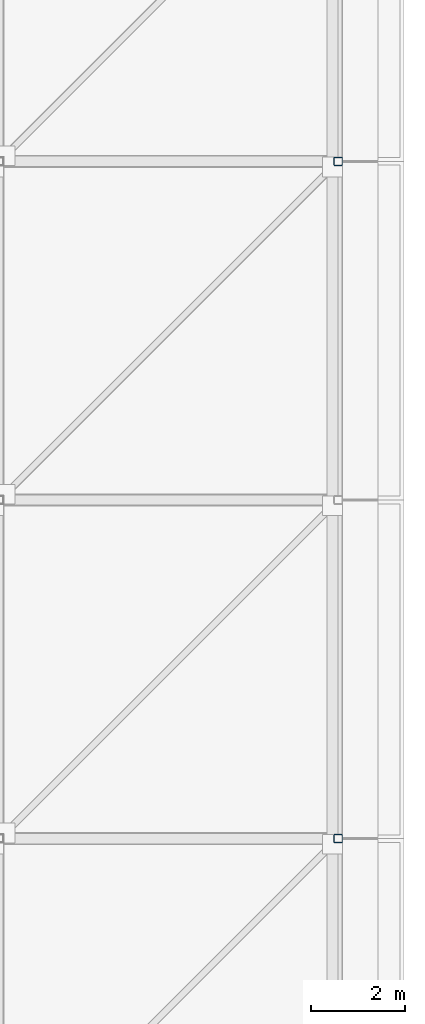
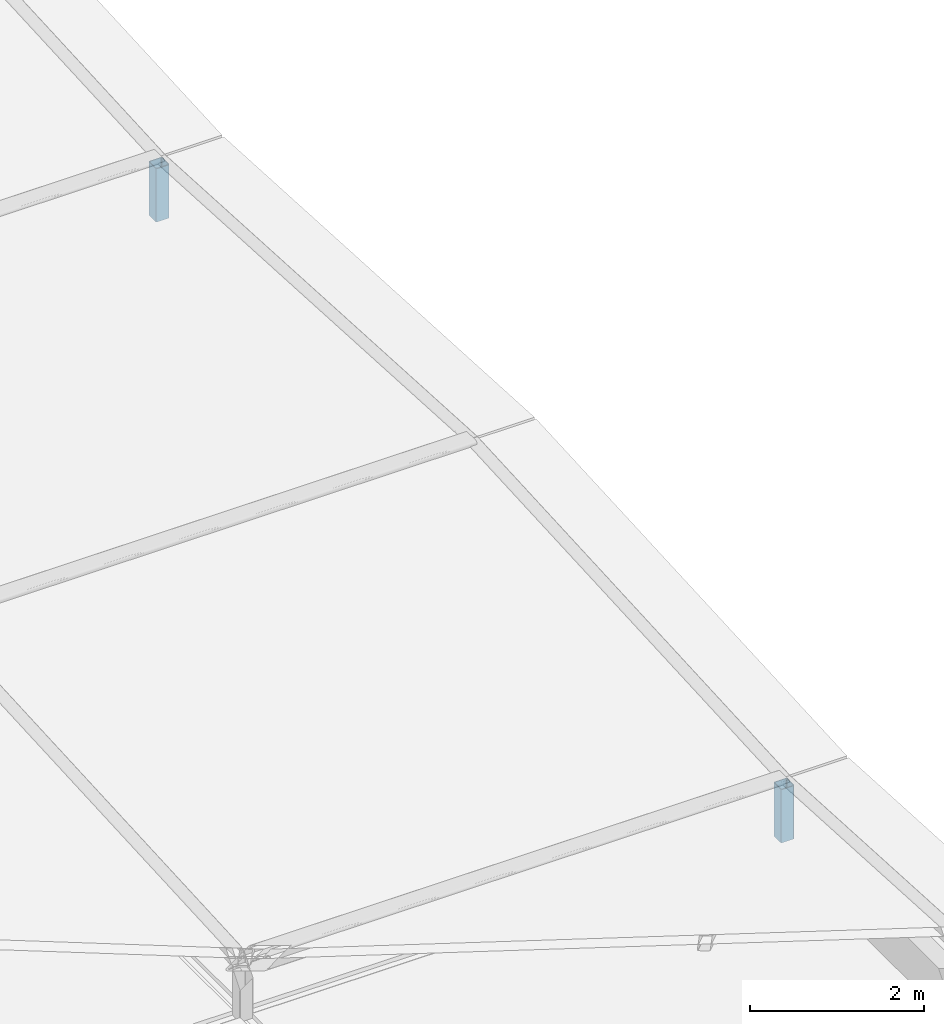
# One storey, part 11 of 15: 2 members.
"""IFC4 building model written with IfcOpenShell, lengths in metres."""

from ifc_helpers import new_model, si_unit, direction, frame, origin, origin_2d, place, context, subcontext, project, spatial, hollow_rectangle, extrude, material, material_profile, profile_set, type_object, element, save


model = new_model("IFC4")

# Units and contexts
model_context = context("Model", 3, precision=1e-05, world=origin(), true_north=direction((0.0, 1.0)))
body_context = subcontext(model_context, "Body", "Model", "MODEL_VIEW")
ifc_project = project(units=[si_unit("LENGTHUNIT", "METRE"), si_unit("AREAUNIT", "SQUARE_METRE"), si_unit("VOLUMEUNIT", "CUBIC_METRE"), si_unit("PLANEANGLEUNIT", "RADIAN"), si_unit("MASSUNIT", "GRAM", prefix="KILO")], contexts=[model_context])

# Site, building, storey
site_placement = place(None, origin())
site = spatial("IfcSite", under=ifc_project, at=site_placement, CompositionType="ELEMENT")
building_placement = place(site_placement, origin())
building = spatial("IfcBuilding", under=site, at=building_placement, Name="Kavelor Marine Aquarium", CompositionType="ELEMENT")
storey_placement = place(building_placement, frame((0.0, 0.0, 25.56005859375)))
storey = spatial("IfcBuildingStorey", under=building, at=storey_placement, Name="RF", CompositionType="ELEMENT", Elevation=25.56005859375)

# Members
ifc_material = material(Name="Steel S355", Category="steel")
ifc_material_profile = material_profile(ifc_material, hollow_rectangle(XDim=0.179931640625, YDim=0.179931640625, WallThickness=0.008056640625, InnerFilletRadius=0.011962890625, OuterFilletRadius=0.02001953125, at=origin_2d()), Name="SHS 180x180x8.0")
ifc_profile_set = profile_set([ifc_material_profile], Name="Steel S355")
member_type = type_object("IfcMemberType", Name="ST-PV2", PredefinedType="CHORD", material=ifc_profile_set)
for number, where, z_axis, x_axis, name in (
    (1, (147.199951171875, 74.800048828125, 0.0), (0.0, 0.0, 1.0), (1.0, 0.0, 0.0), "pv:p:20_10"),
    (2, (147.199951171875, 89.199951171875, 0.0), (0.0, 0.0, 1.0), (1.0, 0.0, 0.0), "pv:p:20_12"),
):
    element("IfcMember", number, at=place(storey_placement, frame(where, z_axis=z_axis, x_axis=x_axis)), inside=storey, type_object=member_type, Name=name, PredefinedType="CHORD", context=body_context, shape_type="SweptSolid", body=[
        extrude(hollow_rectangle(XDim=0.179931640625, YDim=0.179931640625, WallThickness=0.008056640625, InnerFilletRadius=0.011962890625, OuterFilletRadius=0.02001953125, at=origin_2d()), origin(), (0.0, 0.0, 1.0), 0.75),
    ])

save(model, "model.ifc")
